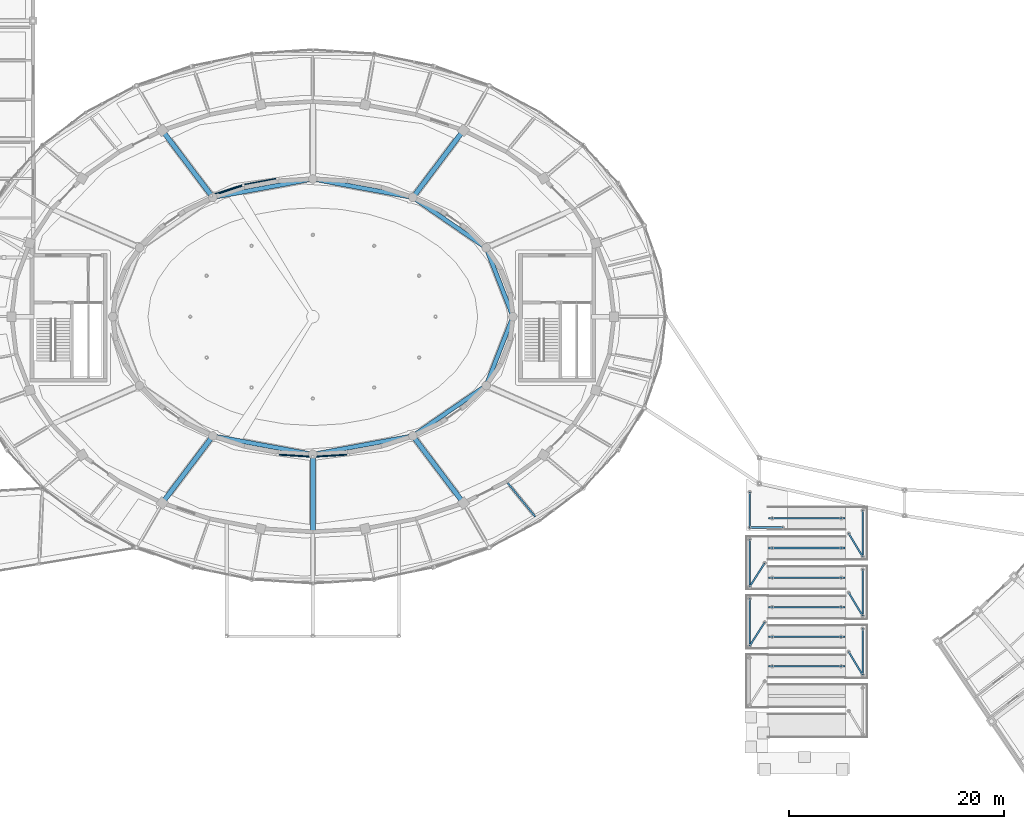
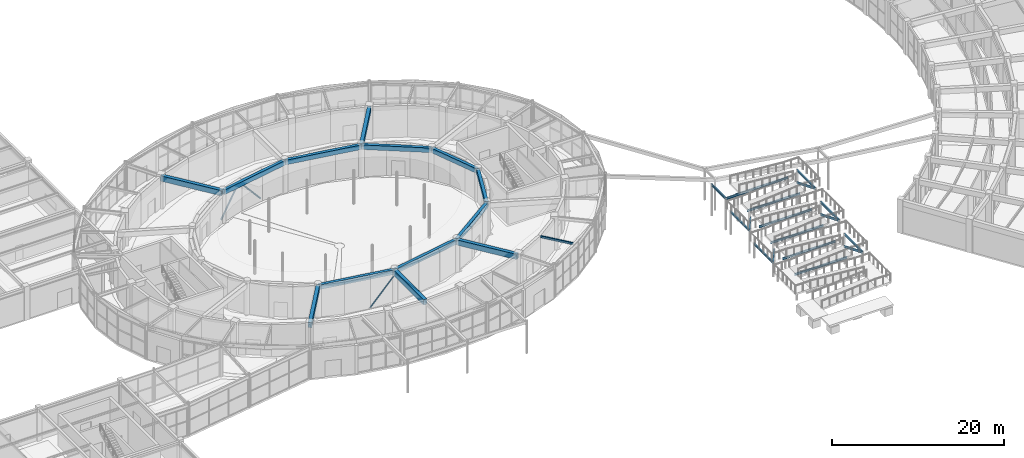
# One storey, part 42 of 108: 32 beams, 4 members.
"""IFC4 building model written with IfcOpenShell, lengths in metres."""

from ifc_helpers import new_model, si_unit, direction, frame, origin, origin_2d, place, context, subcontext, project, spatial, rectangle, hollow_circle, i_section, extrude, material, material_profile, profile_set, type_object, element, save


model = new_model("IFC4")

# Units and contexts
model_context = context("Model", 3, precision=1e-05, world=origin(), true_north=direction((0.0, 1.0)))
body_context = subcontext(model_context, "Body", "Model", "MODEL_VIEW")
ifc_project = project(units=[si_unit("LENGTHUNIT", "METRE"), si_unit("AREAUNIT", "SQUARE_METRE"), si_unit("VOLUMEUNIT", "CUBIC_METRE"), si_unit("PLANEANGLEUNIT", "RADIAN"), si_unit("MASSUNIT", "GRAM", prefix="KILO")], contexts=[model_context])

# Site, building, storey
site_placement = place(None, origin())
site = spatial("IfcSite", under=ifc_project, at=site_placement, CompositionType="ELEMENT")
building_placement = place(site_placement, origin())
building = spatial("IfcBuilding", under=site, at=building_placement, Name="Tarnveldt Headland Concert Hall", CompositionType="ELEMENT")
storey_placement = place(building_placement, origin())
storey = spatial("IfcBuildingStorey", under=building, at=storey_placement, Name="L00", CompositionType="ELEMENT", Elevation=0.0)

# Members
ifc_material_1 = material(Name="Steel S355", Category="steel")
ifc_material_profile_1 = material_profile(ifc_material_1, hollow_circle(Radius=0.084228515625, WallThickness=0.010009765625, at=origin_2d()), Name="CHS 168.3x10", Category="steel")
ifc_profile_set_1 = profile_set([ifc_material_profile_1], Name="Steel S355")
member_type_1 = type_object("IfcMemberType", Name="BR-CHS168", PredefinedType="BRACE", material=ifc_profile_set_1)
for number, where, z_axis, x_axis, name in (
    (1, (80.215576171875, 41.681396484375, 0.179931640625), (0.654371512938, -0.04012907888, 0.755107661254), (0.061209623857, 0.998124933036, 0.0), "Acoustic drum chevron brace L00-8A"),
    (2, (86.784423828125, 41.681396484375, 0.179931640625), (-0.654371512938, -0.04012907888, 0.755107661254), (0.061209623857, -0.998124933036, 0.0), "Acoustic drum chevron brace L00-8B"),
):
    element("IfcMember", number, at=place(storey_placement, frame(where, z_axis=z_axis, x_axis=x_axis)), inside=storey, type_object=member_type_1, Name=name, PredefinedType="BRACE", context=body_context, shape_type="SweptSolid", body=[
        extrude(hollow_circle(Radius=0.084228515625, WallThickness=0.010009765625, at=origin_2d()), origin(), (0.0, 0.0, 1.0), 5.019287109375),
    ])
ifc_material_profile_2 = material_profile(ifc_material_1, hollow_circle(Radius=0.109619140625, WallThickness=0.012451171875, at=origin_2d()), Name="CHS 219.1x12.5", Category="steel")
ifc_profile_set_2 = profile_set([ifc_material_profile_2], Name="Steel S355")
member_type_2 = type_object("IfcMemberType", Name="BR-CHS219", PredefinedType="BRACE", material=ifc_profile_set_2)
member_1_placement = place(storey_placement, frame((80.215576171875, 67.318603515625, 0.179931640625), z_axis=(-0.638169352338, -0.11958938961, 0.760551284023), x_axis=(0.184188305631, -0.98289097466, 0.0)))
element("IfcMember", 3, at=member_1_placement, inside=storey, type_object=member_type_2, Name="Acoustic drum chevron brace L00-7A", PredefinedType="BRACE", context=body_context, shape_type="SweptSolid", body=[
    extrude(hollow_circle(Radius=0.109619140625, WallThickness=0.012451171875, at=origin_2d()), origin(), (0.0, 0.0, 1.0), 4.9833984375),
])
member_2_placement = place(storey_placement, frame((74.05859375, 65.753662109375, 0.179931640625), z_axis=(0.60556352814, 0.197119793586, 0.770997146793), x_axis=(-0.309528653366, 0.950890116021, 0.0)))
element("IfcMember", 4, at=member_2_placement, inside=storey, type_object=member_type_2, Name="Acoustic drum chevron brace L00-7B", PredefinedType="BRACE", context=body_context, shape_type="SweptSolid", body=[
    extrude(hollow_circle(Radius=0.109619140625, WallThickness=0.012451171875, at=origin_2d()), origin(), (0.0, 0.0, 1.0), 4.915771484375),
])

# Beams
ifc_material_2 = material(Name="Concrete C40/50", Category="concrete")
ifc_material_profile_3 = material_profile(ifc_material_2, rectangle(XDim=0.39990234375, YDim=0.64990234375, at=origin_2d()), Name="RC 400x650", Category="concrete")
ifc_profile_set_3 = profile_set([ifc_material_profile_3], Name="Concrete C40/50")
beam_type_1 = type_object("IfcBeamType", Name="CB-400x650", PredefinedType="BEAM", material=ifc_profile_set_3)
beam_1_placement = place(storey_placement, frame((102.078125, 54.555908203125, 4.195068359375), z_axis=(-0.362816377746, 0.931860652694, 0.0), x_axis=(-0.931860652694, -0.362816377746, 0.0)))
element("IfcBeam", 5, at=beam_1_placement, inside=storey, type_object=beam_type_1, Name="Framing beam L00-401", PredefinedType="BEAM", context=body_context, shape_type="SweptSolid", body=[
    extrude(rectangle(XDim=0.39990234375, YDim=0.64990234375, at=origin_2d()), origin(), (0.0, 0.0, 1.0), 6.747802734375),
])
beam_2_placement = place(storey_placement, frame((99.55859375, 60.93408203125, 4.195068359375), z_axis=(-0.823792567818, 0.566891352207, 0.0), x_axis=(-0.566891352207, -0.823792567818, 0.0)))
element("IfcBeam", 6, at=beam_2_placement, inside=storey, type_object=beam_type_1, Name="Framing beam L00-403", PredefinedType="BEAM", context=body_context, shape_type="SweptSolid", body=[
    extrude(rectangle(XDim=0.39990234375, YDim=0.64990234375, at=origin_2d()), origin(), (0.0, 0.0, 1.0), 8.144287109375),
])
for number, where, z_axis, x_axis, name in (
    (7, (92.740966796875, 65.595947265625, 4.195068359375), (-0.983420438696, 0.181340124501, 0.0), (-0.181340124501, -0.983420438696, 0.0), "Framing beam L00-405"),
    (8, (83.44091796875, 67.2890625, 4.195068359375), (-0.983420438696, -0.181340124501, 0.0), (0.181340124501, -0.983420438696, 0.0), "Framing beam L00-407"),
    (9, (74.259033203125, 43.404052734375, 4.195068359375), (0.983420438696, -0.181340124501, 0.0), (0.181340124501, 0.983420438696, 0.0), "Framing beam L00-417"),
    (10, (83.55908203125, 41.7109375, 4.195068359375), (0.983420438696, 0.181340124501, 0.0), (-0.181340124501, 0.983420438696, 0.0), "Framing beam L00-419"),
):
    element("IfcBeam", number, at=place(storey_placement, frame(where, z_axis=z_axis, x_axis=x_axis)), inside=storey, type_object=beam_type_1, Name=name, PredefinedType="BEAM", context=body_context, shape_type="SweptSolid", body=[
        extrude(rectangle(XDim=0.39990234375, YDim=0.64990234375, at=origin_2d()), origin(), (0.0, 0.0, 1.0), 9.336669921875),
    ])
beam_3_placement = place(storey_placement, frame((92.849365234375, 43.448974609375, 4.195068359375), z_axis=(0.823792567818, 0.566891352207, 0.0), x_axis=(-0.566891352207, 0.823792567818, 0.0)))
element("IfcBeam", 11, at=beam_3_placement, inside=storey, type_object=beam_type_1, Name="Framing beam L00-421", PredefinedType="BEAM", context=body_context, shape_type="SweptSolid", body=[
    extrude(rectangle(XDim=0.39990234375, YDim=0.64990234375, at=origin_2d()), origin(), (0.0, 0.0, 1.0), 8.144287109375),
])
beam_4_placement = place(storey_placement, frame((99.6298828125, 48.156005859375, 4.195068359375), z_axis=(0.362816377746, 0.931860652694, 0.0), x_axis=(-0.931860652694, 0.362816377746, 0.0)))
element("IfcBeam", 12, at=beam_4_placement, inside=storey, type_object=beam_type_1, Name="Framing beam L00-423", PredefinedType="BEAM", context=body_context, shape_type="SweptSolid", body=[
    extrude(rectangle(XDim=0.39990234375, YDim=0.64990234375, at=origin_2d()), origin(), (0.0, 0.0, 1.0), 6.747802734375),
])
ifc_material_profile_4 = material_profile(ifc_material_2, rectangle(XDim=0.449951171875, YDim=0.75, at=origin_2d()), Name="RC 450x750", Category="concrete")
ifc_profile_set_4 = profile_set([ifc_material_profile_4], Name="Concrete C40/50")
beam_type_2 = type_object("IfcBeamType", Name="CB-450x750", PredefinedType="BEAM", material=ifc_profile_set_4)
for number, where, z_axis, x_axis, name in (
    (13, (92.82421875, 65.616943359375, 4.14501953125), (0.601893745781, 0.798576182208, 0.0), (-0.798576182208, 0.601893745781, 0.0), "Framing beam L00-404"),
    (14, (74.17578125, 65.616943359375, 4.14501953125), (-0.601893745781, 0.798576182208, 0.0), (-0.798576182208, -0.601893745781, 0.0), "Framing beam L00-408"),
    (15, (74.17578125, 43.383056640625, 4.14501953125), (-0.601893745781, -0.798576182208, 0.0), (0.798576182208, -0.601893745781, 0.0), "Framing beam L00-416"),
):
    element("IfcBeam", number, at=place(storey_placement, frame(where, z_axis=z_axis, x_axis=x_axis)), inside=storey, type_object=beam_type_2, Name=name, PredefinedType="BEAM", context=body_context, shape_type="SweptSolid", body=[
        extrude(rectangle(XDim=0.449951171875, YDim=0.75, at=origin_2d()), origin(), (0.0, 0.0, 1.0), 7.728271484375),
    ])
beam_5_placement = place(storey_placement, frame((83.5, 41.659912109375, 4.14501953125), z_axis=(0.0, -1.0, 0.0), x_axis=(1.0, 0.0, 0.0)))
element("IfcBeam", 16, at=beam_5_placement, inside=storey, type_object=beam_type_2, Name="Framing beam L00-418", PredefinedType="BEAM", context=body_context, shape_type="SweptSolid", body=[
    extrude(rectangle(XDim=0.449951171875, YDim=0.75, at=origin_2d()), origin(), (0.0, 0.0, 1.0), 7.119873046875),
])
beam_6_placement = place(storey_placement, frame((92.82421875, 43.383056640625, 4.14501953125), z_axis=(0.601893745781, -0.798576182208, 0.0), x_axis=(0.798576182208, 0.601893745781, 0.0)))
element("IfcBeam", 17, at=beam_6_placement, inside=storey, type_object=beam_type_2, Name="Framing beam L00-420", PredefinedType="BEAM", context=body_context, shape_type="SweptSolid", body=[
    extrude(rectangle(XDim=0.449951171875, YDim=0.75, at=origin_2d()), origin(), (0.0, 0.0, 1.0), 7.728271484375),
])
ifc_material_profile_5 = material_profile(ifc_material_1, i_section(OverallWidth=0.14990234375, OverallDepth=0.300048828125, WebThickness=0.007080078125, FlangeThickness=0.0107421875, FilletRadius=0.014892578125, at=origin_2d()), Name="IPE300", Category="steel")
ifc_profile_set_5 = profile_set([ifc_material_profile_5], Name="Steel S355")
beam_type_3 = type_object("IfcBeamType", Name="SB-IPE300", PredefinedType="JOIST", material=ifc_profile_set_5)
beam_7_placement = place(storey_placement, frame((134.60009765625, 21.199951171875, 1.39990234375), z_axis=(0.0, 1.0, 0.0), x_axis=(-1.0, 0.0, 0.0)))
element("IfcBeam", 18, at=beam_7_placement, inside=storey, type_object=beam_type_3, Name="Ramp landing support beam E2S1", PredefinedType="JOIST", context=body_context, shape_type="SweptSolid", body=[
    extrude(i_section(OverallWidth=0.14990234375, OverallDepth=0.300048828125, WebThickness=0.007080078125, FlangeThickness=0.0107421875, FilletRadius=0.014892578125, at=origin_2d()), origin(), (0.0, 0.0, 1.0), 4.300048828125),
])
beam_8_placement = place(storey_placement, frame((133.300048828125, 23.35009765625, 1.39990234375), z_axis=(0.517407755932, -0.855738987134, 0.0), x_axis=(0.855738987134, 0.517407755932, 0.0)))
element("IfcBeam", 19, at=beam_8_placement, inside=storey, type_object=beam_type_3, Name="Ramp landing support beam E2S2", PredefinedType="JOIST", context=body_context, shape_type="SweptSolid", body=[
    extrude(i_section(OverallWidth=0.14990234375, OverallDepth=0.300048828125, WebThickness=0.007080078125, FlangeThickness=0.0107421875, FilletRadius=0.014892578125, at=origin_2d()), origin(), (0.0, 0.0, 1.0), 2.5126953125),
])
beam_9_placement = place(storey_placement, frame((124.10009765625, 23.89990234375, 2.0), z_axis=(0.0, 1.0, 0.0), x_axis=(-1.0, 0.0, 0.0)))
element("IfcBeam", 20, at=beam_9_placement, inside=storey, type_object=beam_type_3, Name="Ramp landing support beam W2S1", PredefinedType="JOIST", context=body_context, shape_type="SweptSolid", body=[
    extrude(i_section(OverallWidth=0.14990234375, OverallDepth=0.300048828125, WebThickness=0.007080078125, FlangeThickness=0.0107421875, FilletRadius=0.014892578125, at=origin_2d()), origin(), (0.0, 0.0, 1.0), 4.400146484375),
])
beam_10_placement = place(storey_placement, frame((125.5, 26.10009765625, 2.0), z_axis=(-0.536814913407, -0.843700034813, 0.0), x_axis=(0.843700034813, -0.536814913407, 0.0)))
element("IfcBeam", 21, at=beam_10_placement, inside=storey, type_object=beam_type_3, Name="Ramp landing support beam W2S2", PredefinedType="JOIST", context=body_context, shape_type="SweptSolid", body=[
    extrude(i_section(OverallWidth=0.14990234375, OverallDepth=0.300048828125, WebThickness=0.007080078125, FlangeThickness=0.0107421875, FilletRadius=0.014892578125, at=origin_2d()), origin(), (0.0, 0.0, 1.0), 2.60791015625),
])
beam_11_placement = place(storey_placement, frame((134.60009765625, 26.699951171875, 2.60009765625), z_axis=(0.0, 1.0, 0.0), x_axis=(-1.0, 0.0, 0.0)))
element("IfcBeam", 22, at=beam_11_placement, inside=storey, type_object=beam_type_3, Name="Ramp landing support beam E3S1", PredefinedType="JOIST", context=body_context, shape_type="SweptSolid", body=[
    extrude(i_section(OverallWidth=0.14990234375, OverallDepth=0.300048828125, WebThickness=0.007080078125, FlangeThickness=0.0107421875, FilletRadius=0.014892578125, at=origin_2d()), origin(), (0.0, 0.0, 1.0), 4.300048828125),
])
beam_12_placement = place(storey_placement, frame((133.300048828125, 28.85009765625, 2.60009765625), z_axis=(0.517407755932, -0.855738987134, 0.0), x_axis=(0.855738987134, 0.517407755932, 0.0)))
element("IfcBeam", 23, at=beam_12_placement, inside=storey, type_object=beam_type_3, Name="Ramp landing support beam E3S2", PredefinedType="JOIST", context=body_context, shape_type="SweptSolid", body=[
    extrude(i_section(OverallWidth=0.14990234375, OverallDepth=0.300048828125, WebThickness=0.007080078125, FlangeThickness=0.0107421875, FilletRadius=0.014892578125, at=origin_2d()), origin(), (0.0, 0.0, 1.0), 2.5126953125),
])
beam_13_placement = place(storey_placement, frame((124.10009765625, 29.39990234375, 3.199951171875), z_axis=(0.0, 1.0, 0.0), x_axis=(-1.0, 0.0, 0.0)))
element("IfcBeam", 24, at=beam_13_placement, inside=storey, type_object=beam_type_3, Name="Ramp landing support beam W3S1", PredefinedType="JOIST", context=body_context, shape_type="SweptSolid", body=[
    extrude(i_section(OverallWidth=0.14990234375, OverallDepth=0.300048828125, WebThickness=0.007080078125, FlangeThickness=0.0107421875, FilletRadius=0.014892578125, at=origin_2d()), origin(), (0.0, 0.0, 1.0), 4.400146484375),
])
beam_14_placement = place(storey_placement, frame((125.5, 31.60009765625, 3.199951171875), z_axis=(-0.536814913407, -0.843700034813, 0.0), x_axis=(0.843700034813, -0.536814913407, 0.0)))
element("IfcBeam", 25, at=beam_14_placement, inside=storey, type_object=beam_type_3, Name="Ramp landing support beam W3S2", PredefinedType="JOIST", context=body_context, shape_type="SweptSolid", body=[
    extrude(i_section(OverallWidth=0.14990234375, OverallDepth=0.300048828125, WebThickness=0.007080078125, FlangeThickness=0.0107421875, FilletRadius=0.014892578125, at=origin_2d()), origin(), (0.0, 0.0, 1.0), 2.60791015625),
])
beam_15_placement = place(storey_placement, frame((134.60009765625, 32.199951171875, 3.800048828125), z_axis=(0.0, 1.0, 0.0), x_axis=(-1.0, 0.0, 0.0)))
element("IfcBeam", 26, at=beam_15_placement, inside=storey, type_object=beam_type_3, Name="Ramp landing support beam E4S1", PredefinedType="JOIST", context=body_context, shape_type="SweptSolid", body=[
    extrude(i_section(OverallWidth=0.14990234375, OverallDepth=0.300048828125, WebThickness=0.007080078125, FlangeThickness=0.0107421875, FilletRadius=0.014892578125, at=origin_2d()), origin(), (0.0, 0.0, 1.0), 4.300048828125),
])
beam_16_placement = place(storey_placement, frame((133.300048828125, 34.35009765625, 3.800048828125), z_axis=(0.517407755932, -0.855738987134, 0.0), x_axis=(0.855738987134, 0.517407755932, 0.0)))
element("IfcBeam", 27, at=beam_16_placement, inside=storey, type_object=beam_type_3, Name="Ramp landing support beam E4S2", PredefinedType="JOIST", context=body_context, shape_type="SweptSolid", body=[
    extrude(i_section(OverallWidth=0.14990234375, OverallDepth=0.300048828125, WebThickness=0.007080078125, FlangeThickness=0.0107421875, FilletRadius=0.014892578125, at=origin_2d()), origin(), (0.0, 0.0, 1.0), 2.5126953125),
])
beam_17_placement = place(storey_placement, frame((124.10009765625, 34.89990234375, 4.39990234375), z_axis=(1.0, 0.0, 0.0), x_axis=(0.0, 1.0, 0.0)))
element("IfcBeam", 28, at=beam_17_placement, inside=storey, type_object=beam_type_3, Name="Ramp landing support beam W4S1", PredefinedType="JOIST", context=body_context, shape_type="SweptSolid", body=[
    extrude(i_section(OverallWidth=0.14990234375, OverallDepth=0.300048828125, WebThickness=0.007080078125, FlangeThickness=0.0107421875, FilletRadius=0.014892578125, at=origin_2d()), origin(), (0.0, 0.0, 1.0), 3.099853515625),
])
beam_18_placement = place(storey_placement, frame((124.10009765625, 38.199951171875, 4.39990234375), z_axis=(0.0, -1.0, 0.0), x_axis=(1.0, 0.0, 0.0)))
element("IfcBeam", 29, at=beam_18_placement, inside=storey, type_object=beam_type_3, Name="Ramp landing support beam W4S2", PredefinedType="JOIST", context=body_context, shape_type="SweptSolid", body=[
    extrude(i_section(OverallWidth=0.14990234375, OverallDepth=0.300048828125, WebThickness=0.007080078125, FlangeThickness=0.0107421875, FilletRadius=0.014892578125, at=origin_2d()), origin(), (0.0, 0.0, 1.0), 3.300048828125),
])
for number, where, z_axis, x_axis, name in (
    (30, (125.85009765625, 22.0, 0.800048828125), (1.0, 0.0, 0.0), (0.0, 1.0, 0.0), "Ramp flight 3 carrier beam"),
    (31, (125.85009765625, 24.75, 1.39990234375), (1.0, 0.0, 0.0), (0.0, 1.0, 0.0), "Ramp flight 4 carrier beam"),
    (32, (125.85009765625, 27.5, 2.0), (1.0, 0.0, 0.0), (0.0, 1.0, 0.0), "Ramp flight 5 carrier beam"),
    (33, (125.85009765625, 30.25, 2.60009765625), (1.0, 0.0, 0.0), (0.0, 1.0, 0.0), "Ramp flight 6 carrier beam"),
    (34, (125.85009765625, 33.0, 3.199951171875), (1.0, 0.0, 0.0), (0.0, 1.0, 0.0), "Ramp flight 7 carrier beam"),
    (35, (125.85009765625, 35.75, 3.800048828125), (1.0, 0.0, 0.0), (0.0, 1.0, 0.0), "Ramp flight 8 carrier beam"),
):
    element("IfcBeam", number, at=place(storey_placement, frame(where, z_axis=z_axis, x_axis=x_axis)), inside=storey, type_object=beam_type_3, Name=name, PredefinedType="JOIST", context=body_context, shape_type="SweptSolid", body=[
        extrude(i_section(OverallWidth=0.14990234375, OverallDepth=0.300048828125, WebThickness=0.007080078125, FlangeThickness=0.0107421875, FilletRadius=0.014892578125, at=origin_2d()), origin(), (0.0, 0.0, 1.0), 7.099853515625),
    ])
beam_19_placement = place(storey_placement, frame((101.608642578125, 39.04345703125, 4.3701171875), z_axis=(0.63225535632, -0.774760068928, 0.0), x_axis=(0.774760068928, 0.63225535632, 0.0)))
element("IfcBeam", 36, at=beam_19_placement, inside=storey, type_object=beam_type_3, Name="Framing beam L00-393", PredefinedType="JOIST", context=body_context, shape_type="SweptSolid", body=[
    extrude(i_section(OverallWidth=0.14990234375, OverallDepth=0.300048828125, WebThickness=0.007080078125, FlangeThickness=0.0107421875, FilletRadius=0.014892578125, at=origin_2d()), origin(), (0.0, 0.0, 1.0), 4.04833984375),
])

save(model, "model.ifc")
